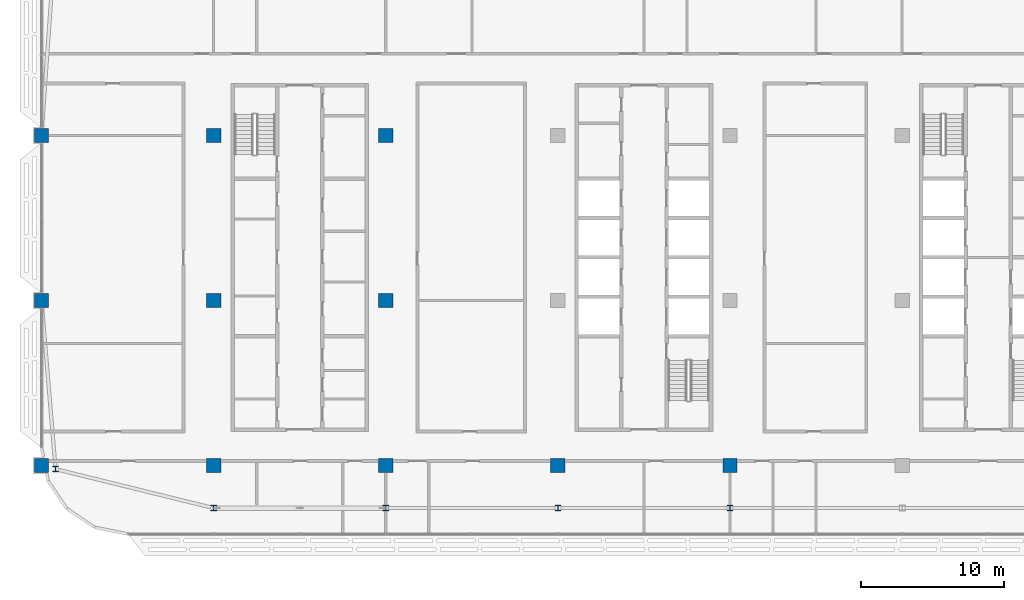
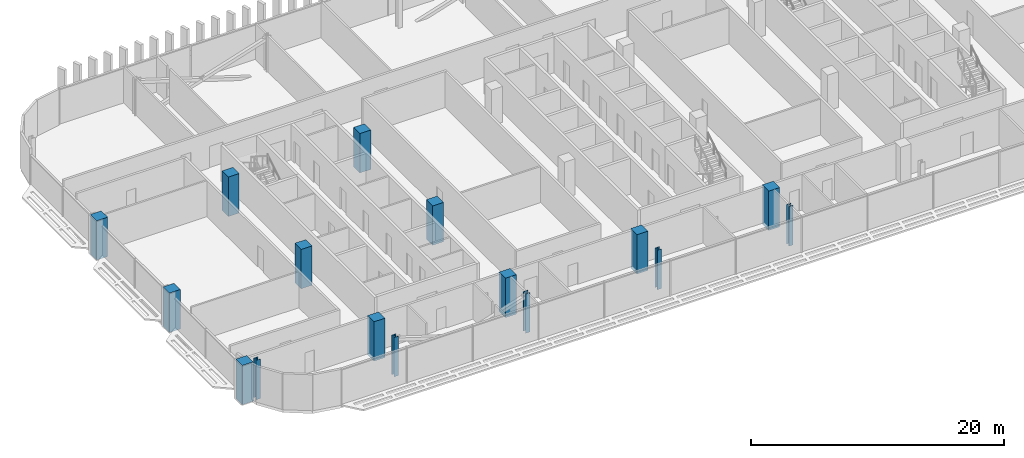
# One storey, part 1 of 32: 16 columns.
"""IFC4 building model written with IfcOpenShell, lengths in metres."""

import ifcopenshell
import ifcopenshell.guid

model = None  # the IFC model being written
_history = None  # IfcOwnerHistory: only IFC2X3 demands one
_inside = {}  # id of a spatial element -> (the spatial element, [elements in it])
_under = {}  # id of a project, library or spatial element -> (it, [spatial elements below it])
_declared = {}  # id of a project -> (the project, [libraries it declares])
_typed = {}  # id of a type object -> (the type object, [elements of that type])
_made_of = {}  # id of a material, layer set ... -> (it, [elements and type objects made of it])


def new_model(schema):
    """Start an empty IFC model of exactly this schema.

    Asked for "IFC4X3", IfcOpenShell would pick the latest addendum, in which some entities
    have other attributes; the version numbers below select the first issue.
    IFC2X3 requires an IfcOwnerHistory on every rooted entity: one is made here for all.
    """
    global model, _history
    if schema == "IFC4X3":
        model = ifcopenshell.file(schema_version=(4, 3, 0, 0))
    else:
        model = ifcopenshell.file(schema=schema)
    _inside.clear()
    _under.clear()
    _declared.clear()
    _typed.clear()
    _made_of.clear()
    _history = None
    if model.schema == "IFC2X3":
        org = make("IfcOrganization", Name="unknown")
        user = make(
            "IfcPersonAndOrganization",
            ThePerson=make("IfcPerson", FamilyName="unknown"),
            TheOrganization=org,
        )
        app = make(
            "IfcApplication",
            ApplicationDeveloper=org,
            Version="unknown",
            ApplicationFullName="unknown",
            ApplicationIdentifier="unknown",
        )
        _history = make(
            "IfcOwnerHistory",
            OwningUser=user,
            OwningApplication=app,
            ChangeAction="ADDED",
            CreationDate=0,
        )
    return model


def make(cls, **values):
    """One entity of the class cls with the attributes given. An attribute that is None is left unset."""
    return model.create_entity(
        cls, **{name: value for name, value in values.items() if value is not None}
    )


def rooted(cls, **values):
    """An entity with a GlobalId (a new one), such as an element, a storey or a relation."""
    return make(cls, GlobalId=ifcopenshell.guid.new(), OwnerHistory=_history, **values)


def si_unit(unit_type, name, prefix=None):
    """IfcSIUnit, for example si_unit("LENGTHUNIT", "METRE", prefix="MILLI")."""
    return make("IfcSIUnit", UnitType=unit_type, Prefix=prefix, Name=name)


def assignment(units):
    """IfcUnitAssignment: the units of a project."""
    return None if units is None else make("IfcUnitAssignment", Units=units)


def point(xyz):
    """IfcCartesianPoint."""
    return None if xyz is None else make("IfcCartesianPoint", Coordinates=xyz)


def direction(xyz):
    """IfcDirection."""
    return None if xyz is None else make("IfcDirection", DirectionRatios=xyz)


def frame(location, z_axis=None, x_axis=None):
    """IfcAxis2Placement3D, a coordinate frame: its origin and axes. An axis left out is left unset."""
    return make(
        "IfcAxis2Placement3D",
        Location=point(location),
        Axis=direction(z_axis),
        RefDirection=direction(x_axis),
    )


def frame_2d(location, x_axis=None):
    """IfcAxis2Placement2D, a coordinate frame in the plane: its origin and x axis."""
    return make(
        "IfcAxis2Placement2D", Location=point(location), RefDirection=direction(x_axis)
    )


def origin():
    """The frame at (0, 0, 0) with its axes left unset."""
    return frame((0.0, 0.0, 0.0))


def origin_2d():
    """The frame at (0, 0) in the plane with its x axis left unset."""
    return frame_2d((0.0, 0.0))


def place(relative_to, where):
    """IfcLocalPlacement: puts the frame where relative to a parent placement (None: the world)."""
    return make(
        "IfcLocalPlacement", PlacementRelTo=relative_to, RelativePlacement=where
    )


def context(
    kind, dimensions, precision=None, world=None, true_north=None, identifier=None
):
    """IfcGeometricRepresentationContext, for example the 3D "Model" context."""
    return make(
        "IfcGeometricRepresentationContext",
        ContextIdentifier=identifier,
        ContextType=kind,
        CoordinateSpaceDimension=dimensions,
        Precision=precision,
        WorldCoordinateSystem=world,
        TrueNorth=true_north,
    )


def subcontext(parent, identifier, kind, view, scale=None):
    """IfcGeometricRepresentationSubContext, for example "Body" below "Model"."""
    return make(
        "IfcGeometricRepresentationSubContext",
        ContextIdentifier=identifier,
        ContextType=kind,
        ParentContext=parent,
        TargetScale=scale,
        TargetView=view,
    )


def project(units=None, contexts=None):
    """IfcProject with its units and contexts."""
    return rooted(
        "IfcProject",
        Name="project",
        RepresentationContexts=contexts,
        UnitsInContext=assignment(units),
    )


def spatial(cls, under=None, at=None, **own):
    """A site, building, storey or space (cls), placed at a placement, below another one or the project."""
    s = rooted(cls, ObjectPlacement=at, **own)
    if under is not None:
        _under.setdefault(under.id(), (under, []))[1].append(s)
    return s


def profile(cls, at=None, kind="AREA", **sizes):
    """A parametric profile (cls). Its sizes go by their IFC names, for example OverallWidth=200.0."""
    return make(cls, ProfileType=kind, Position=at, **sizes)


def rectangle(**sizes):
    """IfcRectangleProfileDef."""
    return profile("IfcRectangleProfileDef", **sizes)


def i_section(**sizes):
    """IfcIShapeProfileDef."""
    return profile("IfcIShapeProfileDef", **sizes)


def extrude(swept, where, along, depth):
    """IfcExtrudedAreaSolid: the profile swept, set in the frame where, extruded along a direction by depth."""
    return make(
        "IfcExtrudedAreaSolid",
        SweptArea=swept,
        Position=where,
        ExtrudedDirection=direction(along),
        Depth=depth,
    )


def shape(context_of_items, identifier, shape_type, items):
    """IfcShapeRepresentation: the items that make up one representation, for example the "Body"."""
    return make(
        "IfcShapeRepresentation",
        ContextOfItems=context_of_items,
        RepresentationIdentifier=identifier,
        RepresentationType=shape_type,
        Items=items,
    )


def material(Name=None, Category=None):
    """IfcMaterial."""
    return make("IfcMaterial", Name=Name, Category=Category)


def material_profile(
    of_material, cross_section, Name=None, Category=None, Priority=None
):
    """IfcMaterialProfile: a cross section and its material."""
    return make(
        "IfcMaterialProfile",
        Name=Name,
        Material=of_material,
        Profile=cross_section,
        Priority=Priority,
        Category=Category,
    )


def profile_set(profiles, Name=None, composite=None):
    """IfcMaterialProfileSet."""
    return make(
        "IfcMaterialProfileSet",
        Name=Name,
        MaterialProfiles=profiles,
        CompositeProfile=composite,
    )


def made_of(thing, what):
    """Note that an element or type object is made of a material, layer set ...; save() writes the relation."""
    if what is not None:
        _made_of.setdefault(what.id(), (what, []))[1].append(thing)
    return thing


def type_object(cls, material=None, **own):
    """A type object (cls), such as IfcWallType, which elements share."""
    return made_of(rooted(cls, **own), material)


def element(
    cls,
    number,
    at=None,
    inside=None,
    cuts=None,
    type_object=None,
    material=None,
    context=None,
    identifier="Body",
    shape_type=None,
    held_by="IfcProductDefinitionShape",
    body=None,
    shapes=None,
    **own,
):
    """One element of the class cls, such as IfcWall. Its Tag is "e" and its number.

    at: its placement. inside: the storey or other place that contains it. cuts: it is an
    opening in that element (IfcRelVoidsElement). A single representation is given by context,
    identifier, shape_type and body (its items); several are given by shapes. held_by: the class
    of the entity that holds the representations. save() writes the other relations.
    """
    e = rooted(cls, Tag="e%d" % number, ObjectPlacement=at, **own)
    if body is not None:
        shapes = [shape(context, identifier, shape_type, body)]
    if shapes is not None:
        e.Representation = make(held_by, Representations=shapes)
    if inside is not None:
        _inside.setdefault(inside.id(), (inside, []))[1].append(e)
    if cuts is not None:
        rooted(
            "IfcRelVoidsElement", RelatingBuildingElement=cuts, RelatedOpeningElement=e
        )
    if type_object is not None:
        _typed.setdefault(type_object.id(), (type_object, []))[1].append(e)
    return made_of(e, material)


def aggregate(whole, parts):
    """IfcRelAggregates: a whole, such as a stair, and the parts it consists of."""
    return rooted("IfcRelAggregates", RelatingObject=whole, RelatedObjects=parts)


def save(model, path):
    """Write the relations noted so far, then the file.

    IfcRelAggregates (storeys below a building ...), IfcRelContainedInSpatialStructure (elements
    in a storey), IfcRelDefinesByType, IfcRelAssociatesMaterial and IfcRelDeclares: one each for
    every whole, place, type object, material and project.
    """
    for whole, parts in _under.values():
        aggregate(whole, parts)
    for where, things in _inside.values():
        rooted(
            "IfcRelContainedInSpatialStructure",
            RelatedElements=things,
            RelatingStructure=where,
        )
    for kind, things in _typed.values():
        rooted("IfcRelDefinesByType", RelatedObjects=things, RelatingType=kind)
    for what, things in _made_of.values():
        rooted("IfcRelAssociatesMaterial", RelatedObjects=things, RelatingMaterial=what)
    for by, libraries in _declared.values():
        rooted("IfcRelDeclares", RelatingContext=by, RelatedDefinitions=libraries)
    model.write(path)


model = new_model("IFC4")

# Units and contexts
model_context = context("Model", 3, precision=1e-05, world=origin(), true_north=direction((0.0, 1.0)))
body_context = subcontext(model_context, "Body", "Model", "MODEL_VIEW")
ifc_project = project(units=[si_unit("LENGTHUNIT", "METRE"), si_unit("AREAUNIT", "SQUARE_METRE"), si_unit("VOLUMEUNIT", "CUBIC_METRE"), si_unit("PLANEANGLEUNIT", "RADIAN"), si_unit("MASSUNIT", "GRAM", prefix="KILO")], contexts=[model_context])

# Site, building, storey
site_placement = place(None, origin())
site = spatial("IfcSite", under=ifc_project, at=site_placement, CompositionType="ELEMENT")
building_placement = place(site_placement, origin())
building = spatial("IfcBuilding", under=site, at=building_placement, Name="Mahtab Terrace Research Tower", CompositionType="ELEMENT")
storey_placement = place(building_placement, frame((0.0, 0.0, 236.199951171875)))
storey = spatial("IfcBuildingStorey", under=building, at=storey_placement, Name="L57", CompositionType="ELEMENT", Elevation=236.199951171875)

# Columns
ifc_material_1 = material(Name="Concrete C70/85", Category="concrete")
ifc_material_profile_1 = material_profile(ifc_material_1, rectangle(XDim=1.0, YDim=1.0, at=origin_2d()), Name="RC column 1000x1000")
ifc_profile_set_1 = profile_set([ifc_material_profile_1], Name="Concrete C70/85")
column_type_1 = type_object("IfcColumnType", Name="RC column 1000x1000", PredefinedType="COLUMN", material=ifc_profile_set_1)
for number, where, z_axis, x_axis, name in (
    (1, (-42.0, -11.5, -0.33984375), (0.0, 0.0, 1.0), (1.0, 0.0, 0.0), "Column RC-1A L57"),
    (2, (-42.0, 0.0, -0.33984375), (0.0, 0.0, 1.0), (1.0, 0.0, 0.0), "Column RC-1B L57"),
    (3, (-42.0, 11.5, -0.33984375), (0.0, 0.0, 1.0), (1.0, 0.0, 0.0), "Column RC-1C L57"),
    (4, (-30.0, -11.5, -0.33984375), (0.0, 0.0, 1.0), (1.0, 0.0, 0.0), "Column RC-2A L57"),
    (5, (-30.0, 0.0, -0.33984375), (0.0, 0.0, 1.0), (1.0, 0.0, 0.0), "Column RC-2B L57"),
    (6, (-30.0, 11.5, -0.33984375), (0.0, 0.0, 1.0), (1.0, 0.0, 0.0), "Column RC-2C L57"),
    (7, (-18.0, -11.5, -0.33984375), (0.0, 0.0, 1.0), (1.0, 0.0, 0.0), "Column RC-3A L57"),
    (8, (-18.0, 0.0, -0.33984375), (0.0, 0.0, 1.0), (1.0, 0.0, 0.0), "Column RC-3B L57"),
    (9, (-18.0, 11.5, -0.33984375), (0.0, 0.0, 1.0), (1.0, 0.0, 0.0), "Column RC-3C L57"),
    (10, (-6.0, -11.5, -0.33984375), (0.0, 0.0, 1.0), (1.0, 0.0, 0.0), "Column RC-4A L57"),
    (11, (6.0, -11.5, -0.33984375), (0.0, 0.0, 1.0), (1.0, 0.0, 0.0), "Column RC-5A L57"),
):
    element("IfcColumn", number, at=place(storey_placement, frame(where, z_axis=z_axis, x_axis=x_axis)), inside=storey, type_object=column_type_1, Name=name, PredefinedType="COLUMN", context=body_context, shape_type="SweptSolid", body=[
        extrude(rectangle(XDim=1.0, YDim=1.0, at=origin_2d()), origin(), (0.0, 0.0, 1.0), 3.7998046875),
    ])
ifc_material_2 = material(Name="Steel ASTM A992 Gr 50", Category="steel")
ifc_material_profile_2 = material_profile(ifc_material_2, i_section(OverallWidth=0.398681640625, OverallDepth=0.385986328125, WebThickness=0.02099609375, FlangeThickness=0.033203125, at=origin_2d()), Name="W14X176")
ifc_profile_set_2 = profile_set([ifc_material_profile_2], Name="Steel ASTM A992 Gr 50")
column_type_2 = type_object("IfcColumnType", Name="W14x176 column CS14176", PredefinedType="COLUMN", material=ifc_profile_set_2)
for number, where, z_axis, x_axis, name in (
    (12, (-41.02099609375, -11.758056640625, -0.33984375), (0.0, 0.0, 1.0), (1.0, 0.0, 0.0), "Column SC-061 L57"),
    (13, (-30.0, -14.472900390625, -0.33984375), (0.0, 0.0, 1.0), (1.0, 0.0, 0.0), "Column SC-062 L57"),
    (14, (-18.0, -14.472900390625, -0.33984375), (0.0, 0.0, 1.0), (1.0, 0.0, 0.0), "Column SC-063 L57"),
    (15, (-6.0, -14.472900390625, -0.33984375), (0.0, 0.0, 1.0), (1.0, 0.0, 0.0), "Column SC-064 L57"),
    (16, (6.0, -14.472900390625, -0.33984375), (0.0, 0.0, 1.0), (1.0, 0.0, 0.0), "Column SC-065 L57"),
):
    element("IfcColumn", number, at=place(storey_placement, frame(where, z_axis=z_axis, x_axis=x_axis)), inside=storey, type_object=column_type_2, Name=name, PredefinedType="COLUMN", context=body_context, shape_type="SweptSolid", body=[
        extrude(i_section(OverallWidth=0.398681640625, OverallDepth=0.385986328125, WebThickness=0.02099609375, FlangeThickness=0.033203125, at=origin_2d()), origin(), (0.0, 0.0, 1.0), 3.7998046875),
    ])

save(model, "model.ifc")
